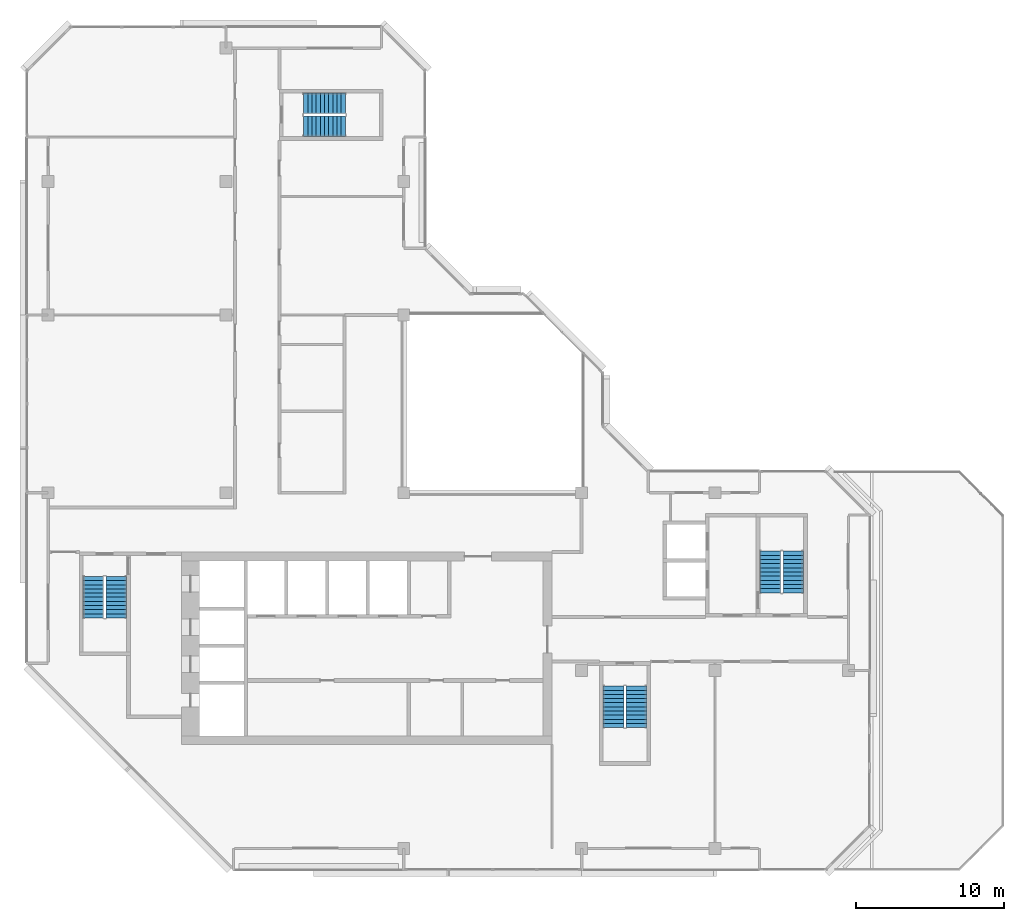
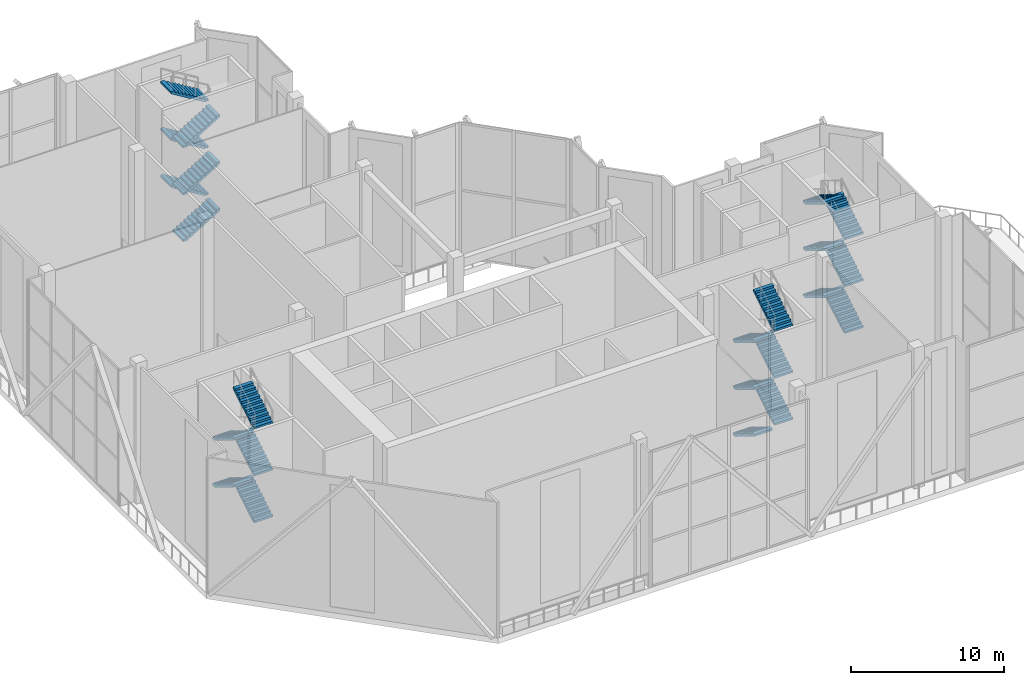
# One storey, part 12 of 16: 23 stair flights, 4 elements without a shape of their own.
"""IFC4 building model written with IfcOpenShell, lengths in metres."""

from ifc_helpers import new_model, si_unit, direction, frame, origin, place, context, subcontext, project, spatial, polyline, outline, extrude, material, type_object, element, aggregate, save


model = new_model("IFC4")

# Units and contexts
model_context = context("Model", 3, precision=1e-05, world=origin(), true_north=direction((0.0, 1.0)))
body_context = subcontext(model_context, "Body", "Model", "MODEL_VIEW")
ifc_project = project(units=[si_unit("LENGTHUNIT", "METRE"), si_unit("AREAUNIT", "SQUARE_METRE"), si_unit("VOLUMEUNIT", "CUBIC_METRE"), si_unit("PLANEANGLEUNIT", "RADIAN"), si_unit("MASSUNIT", "GRAM", prefix="KILO")], contexts=[model_context])

# Site, building, storey
site_placement = place(None, origin())
site = spatial("IfcSite", under=ifc_project, at=site_placement, CompositionType="ELEMENT")
building_placement = place(site_placement, origin())
building = spatial("IfcBuilding", under=site, at=building_placement, Name="Chenar Terraces", CompositionType="ELEMENT")
storey_placement = place(building_placement, frame((0.0, 0.0, 327.64990234375)))
storey = spatial("IfcBuildingStorey", under=building, at=storey_placement, Name="L77", CompositionType="ELEMENT", Elevation=327.64990234375)

# Stair, stair flights
ifc_material_1 = material(Name="Reinforced concrete C40/50", Category="concrete")
stair_type = type_object("IfcStairType", Name="Core stair 1400 half-turn", PredefinedType="HALF_TURN_STAIR", material=ifc_material_1)
placement = place(storey_placement, origin())
stair_1 = element("IfcStair", 1, at=placement, inside=storey, type_object=stair_type, Name="L77 Stair 1", PredefinedType="HALF_TURN_STAIR")
ifc_material_2 = material(Name="Reinforced concrete C40/50", Category="concrete")
stair_flight_type = type_object("IfcStairFlightType", Name="Core stair flight 1400", PredefinedType="STRAIGHT", material=ifc_material_2)
stair_flight_1_placement = place(storey_placement, frame((4.60009765625, 15.550048828125, 1.875), z_axis=(0.0, 0.0, 1.0), x_axis=(0.0, 1.0, 0.0)))
stair_flight_1 = element("IfcStairFlight", 2, at=stair_flight_1_placement, type_object=stair_flight_type, Name="ST1 flight 2", NumberOfRisers=11, NumberOfTreads=10, PredefinedType="STRAIGHT", RiserHeight=0.170454545, TreadLength=0.28, context=body_context, shape_type="SweptSolid", body=[
    extrude(outline(polyline([(-0.0029296875, 0.0), (-0.0029296875, 0.17041015625), (0.0, 0.17041015625), (0.280029296875, 0.17041015625), (0.280029296875, 0.3408203125), (0.56005859375, 0.3408203125), (0.56005859375, 0.511474609375), (0.840087890625, 0.511474609375), (0.840087890625, 0.681884765625), (1.1201171875, 0.681884765625), (1.1201171875, 0.852294921875), (1.39990234375, 0.852294921875), (1.39990234375, 1.022705078125), (1.679931640625, 1.022705078125), (1.679931640625, 1.193115234375), (1.9599609375, 1.193115234375), (1.9599609375, 1.363525390625), (2.239990234375, 1.363525390625), (2.239990234375, 1.5341796875), (2.52001953125, 1.5341796875), (2.52001953125, 1.70458984375), (2.800048828125, 1.70458984375), (2.802978515625, 1.70458984375), (2.802978515625, 1.529052734375), (2.800048828125, 1.529052734375), (0.288330078125, 0.0), (-0.0029296875, 0.0)])), frame((0.0, 0.699951171875, 0.0), z_axis=(0.0, -1.0, 0.0), x_axis=(1.0, 0.0, 0.0)), (0.0, 0.0, 1.0), 1.39990234375),
])
stair_flight_2_placement = place(storey_placement, frame((3.050048828125, 18.35009765625, 3.75), z_axis=(0.0, 0.0, 1.0), x_axis=(0.0, -1.0, 0.0)))
stair_flight_2 = element("IfcStairFlight", 3, at=stair_flight_2_placement, type_object=stair_flight_type, Name="ST1 flight 3", NumberOfRisers=11, NumberOfTreads=10, PredefinedType="STRAIGHT", RiserHeight=0.170454545, TreadLength=0.28, context=body_context, shape_type="SweptSolid", body=[
    extrude(outline(polyline([(-0.0029296875, 0.0), (-0.0029296875, 0.17041015625), (0.0, 0.17041015625), (0.280029296875, 0.17041015625), (0.280029296875, 0.3408203125), (0.56005859375, 0.3408203125), (0.56005859375, 0.511474609375), (0.840087890625, 0.511474609375), (0.840087890625, 0.681884765625), (1.1201171875, 0.681884765625), (1.1201171875, 0.852294921875), (1.39990234375, 0.852294921875), (1.39990234375, 1.022705078125), (1.679931640625, 1.022705078125), (1.679931640625, 1.193115234375), (1.9599609375, 1.193115234375), (1.9599609375, 1.363525390625), (2.239990234375, 1.363525390625), (2.239990234375, 1.5341796875), (2.52001953125, 1.5341796875), (2.52001953125, 1.70458984375), (2.800048828125, 1.70458984375), (2.802978515625, 1.70458984375), (2.802978515625, 1.529052734375), (2.800048828125, 1.529052734375), (0.288330078125, 0.0), (-0.0029296875, 0.0)])), frame((0.0, 0.699951171875, 0.0), z_axis=(0.0, -1.0, 0.0), x_axis=(1.0, 0.0, 0.0)), (0.0, 0.0, 1.0), 1.39990234375),
])
stair_flight_3_placement = place(storey_placement, frame((4.60009765625, 15.550048828125, 5.625), z_axis=(0.0, 0.0, 1.0), x_axis=(0.0, 1.0, 0.0)))
stair_flight_3 = element("IfcStairFlight", 4, at=stair_flight_3_placement, type_object=stair_flight_type, Name="ST1 flight 4", NumberOfRisers=11, NumberOfTreads=10, PredefinedType="STRAIGHT", RiserHeight=0.170454545, TreadLength=0.28, context=body_context, shape_type="SweptSolid", body=[
    extrude(outline(polyline([(-0.0029296875, 0.0), (-0.0029296875, 0.17041015625), (0.0, 0.17041015625), (0.280029296875, 0.17041015625), (0.280029296875, 0.3408203125), (0.56005859375, 0.3408203125), (0.56005859375, 0.511474609375), (0.840087890625, 0.511474609375), (0.840087890625, 0.681884765625), (1.1201171875, 0.681884765625), (1.1201171875, 0.852294921875), (1.39990234375, 0.852294921875), (1.39990234375, 1.022705078125), (1.679931640625, 1.022705078125), (1.679931640625, 1.193115234375), (1.9599609375, 1.193115234375), (1.9599609375, 1.363525390625), (2.239990234375, 1.363525390625), (2.239990234375, 1.5341796875), (2.52001953125, 1.5341796875), (2.52001953125, 1.70458984375), (2.800048828125, 1.70458984375), (2.802978515625, 1.70458984375), (2.802978515625, 1.529052734375), (2.800048828125, 1.529052734375), (0.288330078125, 0.0), (-0.0029296875, 0.0)])), frame((0.0, 0.699951171875, 0.0), z_axis=(0.0, -1.0, 0.0), x_axis=(1.0, 0.0, 0.0)), (0.0, 0.0, 1.0), 1.39990234375),
])
stair_flight_4_placement = place(storey_placement, frame((3.050048828125, 18.35009765625, 7.5), z_axis=(0.0, 0.0, 1.0), x_axis=(0.0, -1.0, 0.0)))
stair_flight_4 = element("IfcStairFlight", 5, at=stair_flight_4_placement, type_object=stair_flight_type, Name="ST1 flight 5", NumberOfRisers=11, NumberOfTreads=10, PredefinedType="STRAIGHT", RiserHeight=0.170454545, TreadLength=0.28, context=body_context, shape_type="SweptSolid", body=[
    extrude(outline(polyline([(-0.0029296875, 0.0), (-0.0029296875, 0.17041015625), (0.0, 0.17041015625), (0.280029296875, 0.17041015625), (0.280029296875, 0.3408203125), (0.56005859375, 0.3408203125), (0.56005859375, 0.511474609375), (0.840087890625, 0.511474609375), (0.840087890625, 0.681884765625), (1.1201171875, 0.681884765625), (1.1201171875, 0.852294921875), (1.39990234375, 0.852294921875), (1.39990234375, 1.022705078125), (1.679931640625, 1.022705078125), (1.679931640625, 1.193115234375), (1.9599609375, 1.193115234375), (1.9599609375, 1.363525390625), (2.239990234375, 1.363525390625), (2.239990234375, 1.5341796875), (2.52001953125, 1.5341796875), (2.52001953125, 1.70458984375), (2.800048828125, 1.70458984375), (2.802978515625, 1.70458984375), (2.802978515625, 1.529052734375), (2.800048828125, 1.529052734375), (0.288330078125, 0.0), (-0.0029296875, 0.0)])), frame((0.0, 0.699951171875, 0.0), z_axis=(0.0, -1.0, 0.0), x_axis=(1.0, 0.0, 0.0)), (0.0, 0.0, 1.0), 1.39990234375),
])
stair_flight_5_placement = place(storey_placement, frame((4.60009765625, 15.550048828125, 9.375), z_axis=(0.0, 0.0, 1.0), x_axis=(0.0, 1.0, 0.0)))
stair_flight_5 = element("IfcStairFlight", 6, at=stair_flight_5_placement, type_object=stair_flight_type, Name="ST1 flight 6", NumberOfRisers=11, NumberOfTreads=10, PredefinedType="STRAIGHT", RiserHeight=0.170454545, TreadLength=0.28, context=body_context, shape_type="SweptSolid", body=[
    extrude(outline(polyline([(-0.0029296875, 0.0), (-0.0029296875, 0.17041015625), (0.0, 0.17041015625), (0.280029296875, 0.17041015625), (0.280029296875, 0.3408203125), (0.56005859375, 0.3408203125), (0.56005859375, 0.511474609375), (0.840087890625, 0.511474609375), (0.840087890625, 0.681884765625), (1.1201171875, 0.681884765625), (1.1201171875, 0.852294921875), (1.39990234375, 0.852294921875), (1.39990234375, 1.022705078125), (1.679931640625, 1.022705078125), (1.679931640625, 1.193115234375), (1.9599609375, 1.193115234375), (1.9599609375, 1.363525390625), (2.239990234375, 1.363525390625), (2.239990234375, 1.5341796875), (2.52001953125, 1.5341796875), (2.52001953125, 1.70458984375), (2.800048828125, 1.70458984375), (2.802978515625, 1.70458984375), (2.802978515625, 1.529052734375), (2.800048828125, 1.529052734375), (0.288330078125, 0.0), (-0.0029296875, 0.0)])), frame((0.0, 0.699951171875, 0.0), z_axis=(0.0, -1.0, 0.0), x_axis=(1.0, 0.0, 0.0)), (0.0, 0.0, 1.0), 1.39990234375),
])
aggregate(stair_1, [stair_flight_1, stair_flight_2, stair_flight_3, stair_flight_4, stair_flight_5])

stair_2 = element("IfcStair", 7, at=placement, inside=storey, type_object=stair_type, Name="L77 Stair 2", PredefinedType="HALF_TURN_STAIR")
stair_flight_6_placement = place(storey_placement, frame((38.14990234375, 10.949951171875, 0.0), z_axis=(0.0, 0.0, 1.0), x_axis=(0.0, -1.0, 0.0)))
stair_flight_6 = element("IfcStairFlight", 8, at=stair_flight_6_placement, type_object=stair_flight_type, Name="ST2 flight 1", NumberOfRisers=11, NumberOfTreads=10, PredefinedType="STRAIGHT", RiserHeight=0.170454545, TreadLength=0.28, context=body_context, shape_type="SweptSolid", body=[
    extrude(outline(polyline([(-0.0029296875, 0.0), (-0.0029296875, 0.17041015625), (0.0, 0.17041015625), (0.280029296875, 0.17041015625), (0.280029296875, 0.3408203125), (0.56005859375, 0.3408203125), (0.56005859375, 0.511474609375), (0.840087890625, 0.511474609375), (0.840087890625, 0.681884765625), (1.1201171875, 0.681884765625), (1.1201171875, 0.852294921875), (1.39990234375, 0.852294921875), (1.39990234375, 1.022705078125), (1.679931640625, 1.022705078125), (1.679931640625, 1.193115234375), (1.9599609375, 1.193115234375), (1.9599609375, 1.363525390625), (2.239990234375, 1.363525390625), (2.239990234375, 1.5341796875), (2.52001953125, 1.5341796875), (2.52001953125, 1.70458984375), (2.800048828125, 1.70458984375), (2.802978515625, 1.70458984375), (2.802978515625, 1.529052734375), (2.800048828125, 1.529052734375), (0.288330078125, 0.0), (-0.0029296875, 0.0)])), frame((0.0, 0.699951171875, 0.0), z_axis=(0.0, -1.0, 0.0), x_axis=(1.0, 0.0, 0.0)), (0.0, 0.0, 1.0), 1.39990234375),
])
stair_flight_7_placement = place(storey_placement, frame((39.699951171875, 8.14990234375, 1.875), z_axis=(0.0, 0.0, 1.0), x_axis=(0.0, 1.0, 0.0)))
stair_flight_7 = element("IfcStairFlight", 9, at=stair_flight_7_placement, type_object=stair_flight_type, Name="ST2 flight 2", NumberOfRisers=11, NumberOfTreads=10, PredefinedType="STRAIGHT", RiserHeight=0.170454545, TreadLength=0.28, context=body_context, shape_type="SweptSolid", body=[
    extrude(outline(polyline([(-0.0029296875, 0.0), (-0.0029296875, 0.17041015625), (0.0, 0.17041015625), (0.280029296875, 0.17041015625), (0.280029296875, 0.3408203125), (0.56005859375, 0.3408203125), (0.56005859375, 0.511474609375), (0.840087890625, 0.511474609375), (0.840087890625, 0.681884765625), (1.1201171875, 0.681884765625), (1.1201171875, 0.852294921875), (1.39990234375, 0.852294921875), (1.39990234375, 1.022705078125), (1.679931640625, 1.022705078125), (1.679931640625, 1.193115234375), (1.9599609375, 1.193115234375), (1.9599609375, 1.363525390625), (2.239990234375, 1.363525390625), (2.239990234375, 1.5341796875), (2.52001953125, 1.5341796875), (2.52001953125, 1.70458984375), (2.800048828125, 1.70458984375), (2.802978515625, 1.70458984375), (2.802978515625, 1.529052734375), (2.800048828125, 1.529052734375), (0.288330078125, 0.0), (-0.0029296875, 0.0)])), frame((0.0, 0.699951171875, 0.0), z_axis=(0.0, -1.0, 0.0), x_axis=(1.0, 0.0, 0.0)), (0.0, 0.0, 1.0), 1.39990234375),
])
stair_flight_8_placement = place(storey_placement, frame((38.14990234375, 10.949951171875, 3.75), z_axis=(0.0, 0.0, 1.0), x_axis=(0.0, -1.0, 0.0)))
stair_flight_8 = element("IfcStairFlight", 10, at=stair_flight_8_placement, type_object=stair_flight_type, Name="ST2 flight 3", NumberOfRisers=11, NumberOfTreads=10, PredefinedType="STRAIGHT", RiserHeight=0.170454545, TreadLength=0.28, context=body_context, shape_type="SweptSolid", body=[
    extrude(outline(polyline([(-0.0029296875, 0.0), (-0.0029296875, 0.17041015625), (0.0, 0.17041015625), (0.280029296875, 0.17041015625), (0.280029296875, 0.3408203125), (0.56005859375, 0.3408203125), (0.56005859375, 0.511474609375), (0.840087890625, 0.511474609375), (0.840087890625, 0.681884765625), (1.1201171875, 0.681884765625), (1.1201171875, 0.852294921875), (1.39990234375, 0.852294921875), (1.39990234375, 1.022705078125), (1.679931640625, 1.022705078125), (1.679931640625, 1.193115234375), (1.9599609375, 1.193115234375), (1.9599609375, 1.363525390625), (2.239990234375, 1.363525390625), (2.239990234375, 1.5341796875), (2.52001953125, 1.5341796875), (2.52001953125, 1.70458984375), (2.800048828125, 1.70458984375), (2.802978515625, 1.70458984375), (2.802978515625, 1.529052734375), (2.800048828125, 1.529052734375), (0.288330078125, 0.0), (-0.0029296875, 0.0)])), frame((0.0, 0.699951171875, 0.0), z_axis=(0.0, -1.0, 0.0), x_axis=(1.0, 0.0, 0.0)), (0.0, 0.0, 1.0), 1.39990234375),
])
stair_flight_9_placement = place(storey_placement, frame((39.699951171875, 8.14990234375, 5.625), z_axis=(0.0, 0.0, 1.0), x_axis=(0.0, 1.0, 0.0)))
stair_flight_9 = element("IfcStairFlight", 11, at=stair_flight_9_placement, type_object=stair_flight_type, Name="ST2 flight 4", NumberOfRisers=11, NumberOfTreads=10, PredefinedType="STRAIGHT", RiserHeight=0.170454545, TreadLength=0.28, context=body_context, shape_type="SweptSolid", body=[
    extrude(outline(polyline([(-0.0029296875, 0.0), (-0.0029296875, 0.17041015625), (0.0, 0.17041015625), (0.280029296875, 0.17041015625), (0.280029296875, 0.3408203125), (0.56005859375, 0.3408203125), (0.56005859375, 0.511474609375), (0.840087890625, 0.511474609375), (0.840087890625, 0.681884765625), (1.1201171875, 0.681884765625), (1.1201171875, 0.852294921875), (1.39990234375, 0.852294921875), (1.39990234375, 1.022705078125), (1.679931640625, 1.022705078125), (1.679931640625, 1.193115234375), (1.9599609375, 1.193115234375), (1.9599609375, 1.363525390625), (2.239990234375, 1.363525390625), (2.239990234375, 1.5341796875), (2.52001953125, 1.5341796875), (2.52001953125, 1.70458984375), (2.800048828125, 1.70458984375), (2.802978515625, 1.70458984375), (2.802978515625, 1.529052734375), (2.800048828125, 1.529052734375), (0.288330078125, 0.0), (-0.0029296875, 0.0)])), frame((0.0, 0.699951171875, 0.0), z_axis=(0.0, -1.0, 0.0), x_axis=(1.0, 0.0, 0.0)), (0.0, 0.0, 1.0), 1.39990234375),
])
stair_flight_10_placement = place(storey_placement, frame((38.14990234375, 10.949951171875, 7.5), z_axis=(0.0, 0.0, 1.0), x_axis=(0.0, -1.0, 0.0)))
stair_flight_10 = element("IfcStairFlight", 12, at=stair_flight_10_placement, type_object=stair_flight_type, Name="ST2 flight 5", NumberOfRisers=11, NumberOfTreads=10, PredefinedType="STRAIGHT", RiserHeight=0.170454545, TreadLength=0.28, context=body_context, shape_type="SweptSolid", body=[
    extrude(outline(polyline([(-0.0029296875, 0.0), (-0.0029296875, 0.17041015625), (0.0, 0.17041015625), (0.280029296875, 0.17041015625), (0.280029296875, 0.3408203125), (0.56005859375, 0.3408203125), (0.56005859375, 0.511474609375), (0.840087890625, 0.511474609375), (0.840087890625, 0.681884765625), (1.1201171875, 0.681884765625), (1.1201171875, 0.852294921875), (1.39990234375, 0.852294921875), (1.39990234375, 1.022705078125), (1.679931640625, 1.022705078125), (1.679931640625, 1.193115234375), (1.9599609375, 1.193115234375), (1.9599609375, 1.363525390625), (2.239990234375, 1.363525390625), (2.239990234375, 1.5341796875), (2.52001953125, 1.5341796875), (2.52001953125, 1.70458984375), (2.800048828125, 1.70458984375), (2.802978515625, 1.70458984375), (2.802978515625, 1.529052734375), (2.800048828125, 1.529052734375), (0.288330078125, 0.0), (-0.0029296875, 0.0)])), frame((0.0, 0.699951171875, 0.0), z_axis=(0.0, -1.0, 0.0), x_axis=(1.0, 0.0, 0.0)), (0.0, 0.0, 1.0), 1.39990234375),
])
stair_flight_11_placement = place(storey_placement, frame((39.699951171875, 8.14990234375, 9.375), z_axis=(0.0, 0.0, 1.0), x_axis=(0.0, 1.0, 0.0)))
stair_flight_11 = element("IfcStairFlight", 13, at=stair_flight_11_placement, type_object=stair_flight_type, Name="ST2 flight 6", NumberOfRisers=11, NumberOfTreads=10, PredefinedType="STRAIGHT", RiserHeight=0.170454545, TreadLength=0.28, context=body_context, shape_type="SweptSolid", body=[
    extrude(outline(polyline([(-0.0029296875, 0.0), (-0.0029296875, 0.17041015625), (0.0, 0.17041015625), (0.280029296875, 0.17041015625), (0.280029296875, 0.3408203125), (0.56005859375, 0.3408203125), (0.56005859375, 0.511474609375), (0.840087890625, 0.511474609375), (0.840087890625, 0.681884765625), (1.1201171875, 0.681884765625), (1.1201171875, 0.852294921875), (1.39990234375, 0.852294921875), (1.39990234375, 1.022705078125), (1.679931640625, 1.022705078125), (1.679931640625, 1.193115234375), (1.9599609375, 1.193115234375), (1.9599609375, 1.363525390625), (2.239990234375, 1.363525390625), (2.239990234375, 1.5341796875), (2.52001953125, 1.5341796875), (2.52001953125, 1.70458984375), (2.800048828125, 1.70458984375), (2.802978515625, 1.70458984375), (2.802978515625, 1.529052734375), (2.800048828125, 1.529052734375), (0.288330078125, 0.0), (-0.0029296875, 0.0)])), frame((0.0, 0.699951171875, 0.0), z_axis=(0.0, -1.0, 0.0), x_axis=(1.0, 0.0, 0.0)), (0.0, 0.0, 1.0), 1.39990234375),
])
aggregate(stair_2, [stair_flight_6, stair_flight_7, stair_flight_8, stair_flight_9, stair_flight_10, stair_flight_11])

stair_3 = element("IfcStair", 14, at=placement, inside=storey, type_object=stair_type, Name="L77 Stair 3", PredefinedType="HALF_TURN_STAIR")
stair_flight_12_placement = place(storey_placement, frame((50.27490234375, 17.25, 0.0), z_axis=(0.0, 0.0, 1.0), x_axis=(0.0, 1.0, 0.0)))
stair_flight_12 = element("IfcStairFlight", 15, at=stair_flight_12_placement, type_object=stair_flight_type, Name="ST3 flight 1", NumberOfRisers=11, NumberOfTreads=10, PredefinedType="STRAIGHT", RiserHeight=0.170454545, TreadLength=0.28, context=body_context, shape_type="SweptSolid", body=[
    extrude(outline(polyline([(-0.0029296875, 0.0), (-0.0029296875, 0.17041015625), (0.0, 0.17041015625), (0.280029296875, 0.17041015625), (0.280029296875, 0.3408203125), (0.56005859375, 0.3408203125), (0.56005859375, 0.511474609375), (0.840087890625, 0.511474609375), (0.840087890625, 0.681884765625), (1.1201171875, 0.681884765625), (1.1201171875, 0.852294921875), (1.39990234375, 0.852294921875), (1.39990234375, 1.022705078125), (1.679931640625, 1.022705078125), (1.679931640625, 1.193115234375), (1.9599609375, 1.193115234375), (1.9599609375, 1.363525390625), (2.239990234375, 1.363525390625), (2.239990234375, 1.5341796875), (2.52001953125, 1.5341796875), (2.52001953125, 1.70458984375), (2.800048828125, 1.70458984375), (2.802978515625, 1.70458984375), (2.802978515625, 1.529052734375), (2.800048828125, 1.529052734375), (0.288330078125, 0.0), (-0.0029296875, 0.0)])), frame((0.0, 0.699951171875, 0.0), z_axis=(0.0, -1.0, 0.0), x_axis=(1.0, 0.0, 0.0)), (0.0, 0.0, 1.0), 1.39990234375),
])
stair_flight_13_placement = place(storey_placement, frame((48.72509765625, 20.050048828125, 1.875), z_axis=(0.0, 0.0, 1.0), x_axis=(0.0, -1.0, 0.0)))
stair_flight_13 = element("IfcStairFlight", 16, at=stair_flight_13_placement, type_object=stair_flight_type, Name="ST3 flight 2", NumberOfRisers=11, NumberOfTreads=10, PredefinedType="STRAIGHT", RiserHeight=0.170454545, TreadLength=0.28, context=body_context, shape_type="SweptSolid", body=[
    extrude(outline(polyline([(-0.0029296875, 0.0), (-0.0029296875, 0.17041015625), (0.0, 0.17041015625), (0.280029296875, 0.17041015625), (0.280029296875, 0.3408203125), (0.56005859375, 0.3408203125), (0.56005859375, 0.511474609375), (0.840087890625, 0.511474609375), (0.840087890625, 0.681884765625), (1.1201171875, 0.681884765625), (1.1201171875, 0.852294921875), (1.39990234375, 0.852294921875), (1.39990234375, 1.022705078125), (1.679931640625, 1.022705078125), (1.679931640625, 1.193115234375), (1.9599609375, 1.193115234375), (1.9599609375, 1.363525390625), (2.239990234375, 1.363525390625), (2.239990234375, 1.5341796875), (2.52001953125, 1.5341796875), (2.52001953125, 1.70458984375), (2.800048828125, 1.70458984375), (2.802978515625, 1.70458984375), (2.802978515625, 1.529052734375), (2.800048828125, 1.529052734375), (0.288330078125, 0.0), (-0.0029296875, 0.0)])), frame((0.0, 0.699951171875, 0.0), z_axis=(0.0, -1.0, 0.0), x_axis=(1.0, 0.0, 0.0)), (0.0, 0.0, 1.0), 1.39990234375),
])
stair_flight_14_placement = place(storey_placement, frame((50.27490234375, 17.25, 3.75), z_axis=(0.0, 0.0, 1.0), x_axis=(0.0, 1.0, 0.0)))
stair_flight_14 = element("IfcStairFlight", 17, at=stair_flight_14_placement, type_object=stair_flight_type, Name="ST3 flight 3", NumberOfRisers=11, NumberOfTreads=10, PredefinedType="STRAIGHT", RiserHeight=0.170454545, TreadLength=0.28, context=body_context, shape_type="SweptSolid", body=[
    extrude(outline(polyline([(-0.0029296875, 0.0), (-0.0029296875, 0.17041015625), (0.0, 0.17041015625), (0.280029296875, 0.17041015625), (0.280029296875, 0.3408203125), (0.56005859375, 0.3408203125), (0.56005859375, 0.511474609375), (0.840087890625, 0.511474609375), (0.840087890625, 0.681884765625), (1.1201171875, 0.681884765625), (1.1201171875, 0.852294921875), (1.39990234375, 0.852294921875), (1.39990234375, 1.022705078125), (1.679931640625, 1.022705078125), (1.679931640625, 1.193115234375), (1.9599609375, 1.193115234375), (1.9599609375, 1.363525390625), (2.239990234375, 1.363525390625), (2.239990234375, 1.5341796875), (2.52001953125, 1.5341796875), (2.52001953125, 1.70458984375), (2.800048828125, 1.70458984375), (2.802978515625, 1.70458984375), (2.802978515625, 1.529052734375), (2.800048828125, 1.529052734375), (0.288330078125, 0.0), (-0.0029296875, 0.0)])), frame((0.0, 0.699951171875, 0.0), z_axis=(0.0, -1.0, 0.0), x_axis=(1.0, 0.0, 0.0)), (0.0, 0.0, 1.0), 1.39990234375),
])
stair_flight_15_placement = place(storey_placement, frame((48.72509765625, 20.050048828125, 5.625), z_axis=(0.0, 0.0, 1.0), x_axis=(0.0, -1.0, 0.0)))
stair_flight_15 = element("IfcStairFlight", 18, at=stair_flight_15_placement, type_object=stair_flight_type, Name="ST3 flight 4", NumberOfRisers=11, NumberOfTreads=10, PredefinedType="STRAIGHT", RiserHeight=0.170454545, TreadLength=0.28, context=body_context, shape_type="SweptSolid", body=[
    extrude(outline(polyline([(-0.0029296875, 0.0), (-0.0029296875, 0.17041015625), (0.0, 0.17041015625), (0.280029296875, 0.17041015625), (0.280029296875, 0.3408203125), (0.56005859375, 0.3408203125), (0.56005859375, 0.511474609375), (0.840087890625, 0.511474609375), (0.840087890625, 0.681884765625), (1.1201171875, 0.681884765625), (1.1201171875, 0.852294921875), (1.39990234375, 0.852294921875), (1.39990234375, 1.022705078125), (1.679931640625, 1.022705078125), (1.679931640625, 1.193115234375), (1.9599609375, 1.193115234375), (1.9599609375, 1.363525390625), (2.239990234375, 1.363525390625), (2.239990234375, 1.5341796875), (2.52001953125, 1.5341796875), (2.52001953125, 1.70458984375), (2.800048828125, 1.70458984375), (2.802978515625, 1.70458984375), (2.802978515625, 1.529052734375), (2.800048828125, 1.529052734375), (0.288330078125, 0.0), (-0.0029296875, 0.0)])), frame((0.0, 0.699951171875, 0.0), z_axis=(0.0, -1.0, 0.0), x_axis=(1.0, 0.0, 0.0)), (0.0, 0.0, 1.0), 1.39990234375),
])
stair_flight_16_placement = place(storey_placement, frame((50.27490234375, 17.25, 7.5), z_axis=(0.0, 0.0, 1.0), x_axis=(0.0, 1.0, 0.0)))
stair_flight_16 = element("IfcStairFlight", 19, at=stair_flight_16_placement, type_object=stair_flight_type, Name="ST3 flight 5", NumberOfRisers=11, NumberOfTreads=10, PredefinedType="STRAIGHT", RiserHeight=0.170454545, TreadLength=0.28, context=body_context, shape_type="SweptSolid", body=[
    extrude(outline(polyline([(-0.0029296875, 0.0), (-0.0029296875, 0.17041015625), (0.0, 0.17041015625), (0.280029296875, 0.17041015625), (0.280029296875, 0.3408203125), (0.56005859375, 0.3408203125), (0.56005859375, 0.511474609375), (0.840087890625, 0.511474609375), (0.840087890625, 0.681884765625), (1.1201171875, 0.681884765625), (1.1201171875, 0.852294921875), (1.39990234375, 0.852294921875), (1.39990234375, 1.022705078125), (1.679931640625, 1.022705078125), (1.679931640625, 1.193115234375), (1.9599609375, 1.193115234375), (1.9599609375, 1.363525390625), (2.239990234375, 1.363525390625), (2.239990234375, 1.5341796875), (2.52001953125, 1.5341796875), (2.52001953125, 1.70458984375), (2.800048828125, 1.70458984375), (2.802978515625, 1.70458984375), (2.802978515625, 1.529052734375), (2.800048828125, 1.529052734375), (0.288330078125, 0.0), (-0.0029296875, 0.0)])), frame((0.0, 0.699951171875, 0.0), z_axis=(0.0, -1.0, 0.0), x_axis=(1.0, 0.0, 0.0)), (0.0, 0.0, 1.0), 1.39990234375),
])
stair_flight_17_placement = place(storey_placement, frame((48.72509765625, 20.050048828125, 9.375), z_axis=(0.0, 0.0, 1.0), x_axis=(0.0, -1.0, 0.0)))
stair_flight_17 = element("IfcStairFlight", 20, at=stair_flight_17_placement, type_object=stair_flight_type, Name="ST3 flight 6", NumberOfRisers=11, NumberOfTreads=10, PredefinedType="STRAIGHT", RiserHeight=0.170454545, TreadLength=0.28, context=body_context, shape_type="SweptSolid", body=[
    extrude(outline(polyline([(-0.0029296875, 0.0), (-0.0029296875, 0.17041015625), (0.0, 0.17041015625), (0.280029296875, 0.17041015625), (0.280029296875, 0.3408203125), (0.56005859375, 0.3408203125), (0.56005859375, 0.511474609375), (0.840087890625, 0.511474609375), (0.840087890625, 0.681884765625), (1.1201171875, 0.681884765625), (1.1201171875, 0.852294921875), (1.39990234375, 0.852294921875), (1.39990234375, 1.022705078125), (1.679931640625, 1.022705078125), (1.679931640625, 1.193115234375), (1.9599609375, 1.193115234375), (1.9599609375, 1.363525390625), (2.239990234375, 1.363525390625), (2.239990234375, 1.5341796875), (2.52001953125, 1.5341796875), (2.52001953125, 1.70458984375), (2.800048828125, 1.70458984375), (2.802978515625, 1.70458984375), (2.802978515625, 1.529052734375), (2.800048828125, 1.529052734375), (0.288330078125, 0.0), (-0.0029296875, 0.0)])), frame((0.0, 0.699951171875, 0.0), z_axis=(0.0, -1.0, 0.0), x_axis=(1.0, 0.0, 0.0)), (0.0, 0.0, 1.0), 1.39990234375),
])
aggregate(stair_3, [stair_flight_12, stair_flight_13, stair_flight_14, stair_flight_15, stair_flight_16, stair_flight_17])

stair_4 = element("IfcStair", 21, at=placement, inside=storey, type_object=stair_type, Name="L77 Stair 4", PredefinedType="HALF_TURN_STAIR")
stair_flight_18_placement = place(storey_placement, frame((17.25, 48.72509765625, 0.0), z_axis=(0.0, 0.0, 1.0), x_axis=(1.0, 0.0, 0.0)))
stair_flight_18 = element("IfcStairFlight", 22, at=stair_flight_18_placement, type_object=stair_flight_type, Name="ST4 flight 1", NumberOfRisers=11, NumberOfTreads=10, PredefinedType="STRAIGHT", RiserHeight=0.170454545, TreadLength=0.28, context=body_context, shape_type="SweptSolid", body=[
    extrude(outline(polyline([(-0.0029296875, 0.0), (-0.0029296875, 0.17041015625), (0.0, 0.17041015625), (0.280029296875, 0.17041015625), (0.280029296875, 0.3408203125), (0.56005859375, 0.3408203125), (0.56005859375, 0.511474609375), (0.840087890625, 0.511474609375), (0.840087890625, 0.681884765625), (1.1201171875, 0.681884765625), (1.1201171875, 0.852294921875), (1.39990234375, 0.852294921875), (1.39990234375, 1.022705078125), (1.679931640625, 1.022705078125), (1.679931640625, 1.193115234375), (1.9599609375, 1.193115234375), (1.9599609375, 1.363525390625), (2.239990234375, 1.363525390625), (2.239990234375, 1.5341796875), (2.52001953125, 1.5341796875), (2.52001953125, 1.70458984375), (2.800048828125, 1.70458984375), (2.802978515625, 1.70458984375), (2.802978515625, 1.529052734375), (2.800048828125, 1.529052734375), (0.288330078125, 0.0), (-0.0029296875, 0.0)])), frame((0.0, 0.699951171875, 0.0), z_axis=(0.0, -1.0, 0.0), x_axis=(1.0, 0.0, 0.0)), (0.0, 0.0, 1.0), 1.39990234375),
])
stair_flight_19_placement = place(storey_placement, frame((20.050048828125, 50.27490234375, 1.875), z_axis=(0.0, 0.0, 1.0), x_axis=(-1.0, 0.0, 0.0)))
stair_flight_19 = element("IfcStairFlight", 23, at=stair_flight_19_placement, type_object=stair_flight_type, Name="ST4 flight 2", NumberOfRisers=11, NumberOfTreads=10, PredefinedType="STRAIGHT", RiserHeight=0.170454545, TreadLength=0.28, context=body_context, shape_type="SweptSolid", body=[
    extrude(outline(polyline([(-0.0029296875, 0.0), (-0.0029296875, 0.17041015625), (0.0, 0.17041015625), (0.280029296875, 0.17041015625), (0.280029296875, 0.3408203125), (0.56005859375, 0.3408203125), (0.56005859375, 0.511474609375), (0.840087890625, 0.511474609375), (0.840087890625, 0.681884765625), (1.1201171875, 0.681884765625), (1.1201171875, 0.852294921875), (1.39990234375, 0.852294921875), (1.39990234375, 1.022705078125), (1.679931640625, 1.022705078125), (1.679931640625, 1.193115234375), (1.9599609375, 1.193115234375), (1.9599609375, 1.363525390625), (2.239990234375, 1.363525390625), (2.239990234375, 1.5341796875), (2.52001953125, 1.5341796875), (2.52001953125, 1.70458984375), (2.800048828125, 1.70458984375), (2.802978515625, 1.70458984375), (2.802978515625, 1.529052734375), (2.800048828125, 1.529052734375), (0.288330078125, 0.0), (-0.0029296875, 0.0)])), frame((0.0, 0.699951171875, 0.0), z_axis=(0.0, -1.0, 0.0), x_axis=(1.0, 0.0, 0.0)), (0.0, 0.0, 1.0), 1.39990234375),
])
stair_flight_20_placement = place(storey_placement, frame((17.25, 48.72509765625, 3.75), z_axis=(0.0, 0.0, 1.0), x_axis=(1.0, 0.0, 0.0)))
stair_flight_20 = element("IfcStairFlight", 24, at=stair_flight_20_placement, type_object=stair_flight_type, Name="ST4 flight 3", NumberOfRisers=11, NumberOfTreads=10, PredefinedType="STRAIGHT", RiserHeight=0.170454545, TreadLength=0.28, context=body_context, shape_type="SweptSolid", body=[
    extrude(outline(polyline([(-0.0029296875, 0.0), (-0.0029296875, 0.17041015625), (0.0, 0.17041015625), (0.280029296875, 0.17041015625), (0.280029296875, 0.3408203125), (0.56005859375, 0.3408203125), (0.56005859375, 0.511474609375), (0.840087890625, 0.511474609375), (0.840087890625, 0.681884765625), (1.1201171875, 0.681884765625), (1.1201171875, 0.852294921875), (1.39990234375, 0.852294921875), (1.39990234375, 1.022705078125), (1.679931640625, 1.022705078125), (1.679931640625, 1.193115234375), (1.9599609375, 1.193115234375), (1.9599609375, 1.363525390625), (2.239990234375, 1.363525390625), (2.239990234375, 1.5341796875), (2.52001953125, 1.5341796875), (2.52001953125, 1.70458984375), (2.800048828125, 1.70458984375), (2.802978515625, 1.70458984375), (2.802978515625, 1.529052734375), (2.800048828125, 1.529052734375), (0.288330078125, 0.0), (-0.0029296875, 0.0)])), frame((0.0, 0.699951171875, 0.0), z_axis=(0.0, -1.0, 0.0), x_axis=(1.0, 0.0, 0.0)), (0.0, 0.0, 1.0), 1.39990234375),
])
stair_flight_21_placement = place(storey_placement, frame((20.050048828125, 50.27490234375, 5.625), z_axis=(0.0, 0.0, 1.0), x_axis=(-1.0, 0.0, 0.0)))
stair_flight_21 = element("IfcStairFlight", 25, at=stair_flight_21_placement, type_object=stair_flight_type, Name="ST4 flight 4", NumberOfRisers=11, NumberOfTreads=10, PredefinedType="STRAIGHT", RiserHeight=0.170454545, TreadLength=0.28, context=body_context, shape_type="SweptSolid", body=[
    extrude(outline(polyline([(-0.0029296875, 0.0), (-0.0029296875, 0.17041015625), (0.0, 0.17041015625), (0.280029296875, 0.17041015625), (0.280029296875, 0.3408203125), (0.56005859375, 0.3408203125), (0.56005859375, 0.511474609375), (0.840087890625, 0.511474609375), (0.840087890625, 0.681884765625), (1.1201171875, 0.681884765625), (1.1201171875, 0.852294921875), (1.39990234375, 0.852294921875), (1.39990234375, 1.022705078125), (1.679931640625, 1.022705078125), (1.679931640625, 1.193115234375), (1.9599609375, 1.193115234375), (1.9599609375, 1.363525390625), (2.239990234375, 1.363525390625), (2.239990234375, 1.5341796875), (2.52001953125, 1.5341796875), (2.52001953125, 1.70458984375), (2.800048828125, 1.70458984375), (2.802978515625, 1.70458984375), (2.802978515625, 1.529052734375), (2.800048828125, 1.529052734375), (0.288330078125, 0.0), (-0.0029296875, 0.0)])), frame((0.0, 0.699951171875, 0.0), z_axis=(0.0, -1.0, 0.0), x_axis=(1.0, 0.0, 0.0)), (0.0, 0.0, 1.0), 1.39990234375),
])
stair_flight_22_placement = place(storey_placement, frame((17.25, 48.72509765625, 7.5), z_axis=(0.0, 0.0, 1.0), x_axis=(1.0, 0.0, 0.0)))
stair_flight_22 = element("IfcStairFlight", 26, at=stair_flight_22_placement, type_object=stair_flight_type, Name="ST4 flight 5", NumberOfRisers=11, NumberOfTreads=10, PredefinedType="STRAIGHT", RiserHeight=0.170454545, TreadLength=0.28, context=body_context, shape_type="SweptSolid", body=[
    extrude(outline(polyline([(-0.0029296875, 0.0), (-0.0029296875, 0.17041015625), (0.0, 0.17041015625), (0.280029296875, 0.17041015625), (0.280029296875, 0.3408203125), (0.56005859375, 0.3408203125), (0.56005859375, 0.511474609375), (0.840087890625, 0.511474609375), (0.840087890625, 0.681884765625), (1.1201171875, 0.681884765625), (1.1201171875, 0.852294921875), (1.39990234375, 0.852294921875), (1.39990234375, 1.022705078125), (1.679931640625, 1.022705078125), (1.679931640625, 1.193115234375), (1.9599609375, 1.193115234375), (1.9599609375, 1.363525390625), (2.239990234375, 1.363525390625), (2.239990234375, 1.5341796875), (2.52001953125, 1.5341796875), (2.52001953125, 1.70458984375), (2.800048828125, 1.70458984375), (2.802978515625, 1.70458984375), (2.802978515625, 1.529052734375), (2.800048828125, 1.529052734375), (0.288330078125, 0.0), (-0.0029296875, 0.0)])), frame((0.0, 0.699951171875, 0.0), z_axis=(0.0, -1.0, 0.0), x_axis=(1.0, 0.0, 0.0)), (0.0, 0.0, 1.0), 1.39990234375),
])
stair_flight_23_placement = place(storey_placement, frame((20.050048828125, 50.27490234375, 9.375), z_axis=(0.0, 0.0, 1.0), x_axis=(-1.0, 0.0, 0.0)))
stair_flight_23 = element("IfcStairFlight", 27, at=stair_flight_23_placement, type_object=stair_flight_type, Name="ST4 flight 6", NumberOfRisers=11, NumberOfTreads=10, PredefinedType="STRAIGHT", RiserHeight=0.170454545, TreadLength=0.28, context=body_context, shape_type="SweptSolid", body=[
    extrude(outline(polyline([(-0.0029296875, 0.0), (-0.0029296875, 0.17041015625), (0.0, 0.17041015625), (0.280029296875, 0.17041015625), (0.280029296875, 0.3408203125), (0.56005859375, 0.3408203125), (0.56005859375, 0.511474609375), (0.840087890625, 0.511474609375), (0.840087890625, 0.681884765625), (1.1201171875, 0.681884765625), (1.1201171875, 0.852294921875), (1.39990234375, 0.852294921875), (1.39990234375, 1.022705078125), (1.679931640625, 1.022705078125), (1.679931640625, 1.193115234375), (1.9599609375, 1.193115234375), (1.9599609375, 1.363525390625), (2.239990234375, 1.363525390625), (2.239990234375, 1.5341796875), (2.52001953125, 1.5341796875), (2.52001953125, 1.70458984375), (2.800048828125, 1.70458984375), (2.802978515625, 1.70458984375), (2.802978515625, 1.529052734375), (2.800048828125, 1.529052734375), (0.288330078125, 0.0), (-0.0029296875, 0.0)])), frame((0.0, 0.699951171875, 0.0), z_axis=(0.0, -1.0, 0.0), x_axis=(1.0, 0.0, 0.0)), (0.0, 0.0, 1.0), 1.39990234375),
])
aggregate(stair_4, [stair_flight_18, stair_flight_19, stair_flight_20, stair_flight_21, stair_flight_22, stair_flight_23])

save(model, "model.ifc")
